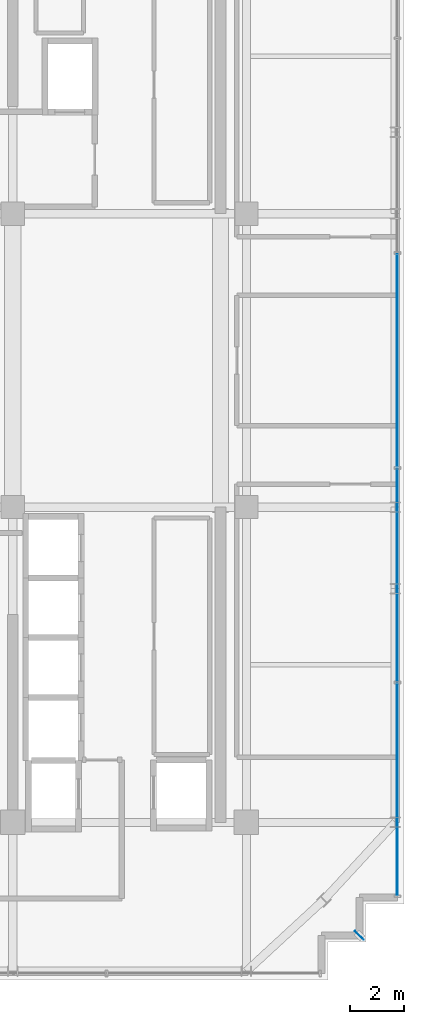
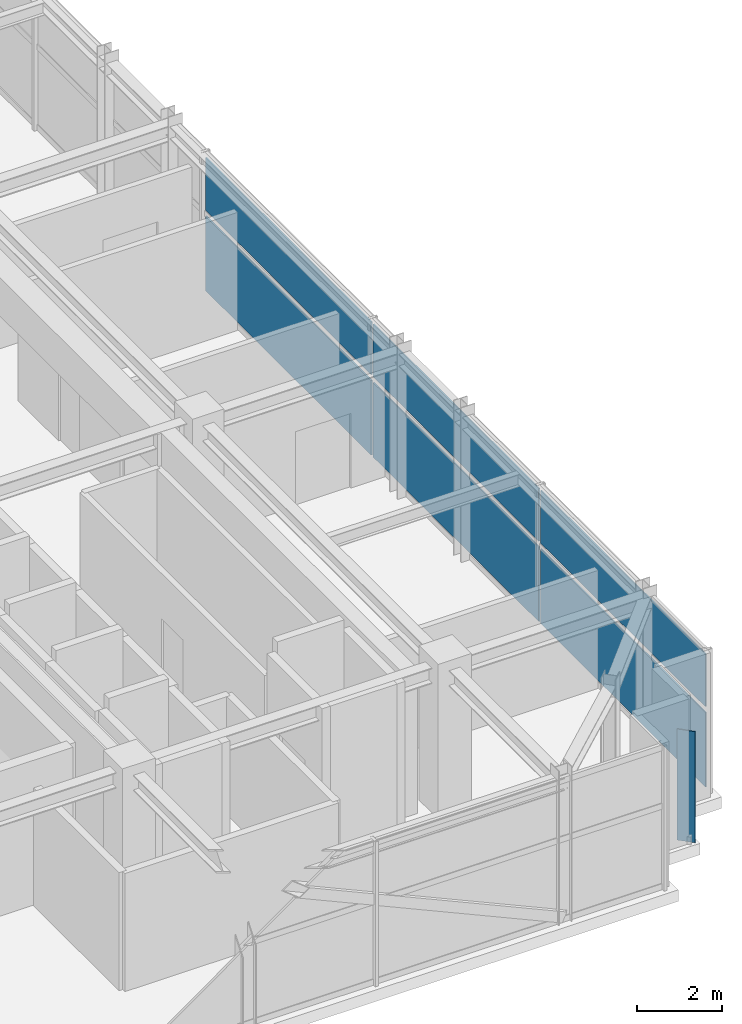
# One storey, part 18 of 26: 7 plates, 1 element without a shape of its own.
"""IFC4 building model written with IfcOpenShell, lengths in metres."""

from ifc_helpers import new_model, si_unit, direction, frame, origin, origin_2d, place, context, subcontext, project, spatial, rectangle, extrude, source, transform, mapped, material, layer, layer_set, type_object, element, aggregate, save


model = new_model("IFC4")

# Units and contexts
model_context = context("Model", 3, precision=1e-05, world=origin(), true_north=direction((0.0, 1.0)))
body_context = subcontext(model_context, "Body", "Model", "MODEL_VIEW")
ifc_project = project(units=[si_unit("LENGTHUNIT", "METRE"), si_unit("AREAUNIT", "SQUARE_METRE"), si_unit("VOLUMEUNIT", "CUBIC_METRE"), si_unit("PLANEANGLEUNIT", "RADIAN"), si_unit("MASSUNIT", "GRAM", prefix="KILO")], contexts=[model_context])

# Site, building, storey
site_placement = place(None, origin())
site = spatial("IfcSite", under=ifc_project, at=site_placement, CompositionType="ELEMENT")
building_placement = place(site_placement, origin())
building = spatial("IfcBuilding", under=site, at=building_placement, Name="Nahalor Promenade Grand Hotel", CompositionType="ELEMENT")
storey_placement = place(building_placement, frame((0.0, 0.0, 343.050048828125)))
storey = spatial("IfcBuildingStorey", under=building, at=storey_placement, Name="L88", CompositionType="ELEMENT", Elevation=343.050048828125)

# Plate
ifc_material_1 = material(Name="Anodised Bronze Aluminium EN AW-6063 T6", Category="aluminium")
ifc_layer_1 = layer(ifc_material_1, 0.02001953125)
ifc_layer_set_1 = layer_set([ifc_layer_1], Name="Anodised Bronze Aluminium EN AW-6063 T6")
plate_type_1 = type_object("IfcPlateType", Name="Plate-CornerFin-20", PredefinedType="SHEET", material=ifc_layer_set_1)
shared_shape_1 = source(origin(), body_context, "Body", "SweptSolid", [
    extrude(rectangle(XDim=0.449951171875, YDim=0.02001953125, at=origin_2d()), origin(), (0.0, 0.0, 1.0), 3.199951171875),
])
plate_1_placement = place(storey_placement, frame((21.159912109375, -21.159912109375, 0.0), z_axis=(0.0, 0.0, 1.0), x_axis=(-0.707106781187, 0.707106781187, 0.0)))
element("IfcPlate", 1, at=plate_1_placement, inside=storey, type_object=plate_type_1, Name="FIN-L88-SE", PredefinedType="SHEET", context=body_context, shape_type="MappedRepresentation", body=[
    mapped(shared_shape_1, transform((0.0, 0.0, 0.0), scale=1.0)),
])

# Curtain wall, plates
curtain_wall_type = type_object("IfcCurtainWallType", Name="CW5 Sky-Lobby & Observation Panoramic Curtain Wall", PredefinedType="USERDEFINED", material=ifc_material_1)
curtain_wall_placement = place(storey_placement, origin())
curtain_wall = element("IfcCurtainWall", 2, at=curtain_wall_placement, inside=storey, type_object=curtain_wall_type, Name="L88 Curtain Wall CW-L88-E-1", ObjectType="UNITISED_CURTAIN_WALL", PredefinedType="USERDEFINED")
ifc_material_2 = material(Name="Low-E Laminated Solar Glass", Category="glass")
ifc_layer_2 = layer(ifc_material_2, 0.035888671875)
ifc_layer_set_2 = layer_set([ifc_layer_2], Name="Low-E Laminated Solar Glass")
plate_type_2 = type_object("IfcPlateType", Name="CWP5 Observation Acoustic Triple IGU 36mm", PredefinedType="CURTAIN_PANEL", material=ifc_layer_set_2)
shared_shape_2 = source(origin(), body_context, "Body", "SweptSolid", [
    extrude(rectangle(XDim=7.776611328125, YDim=0.035888671875, at=origin_2d()), origin(), (0.0, 0.0, 1.0), 2.14501953125),
])
plate_2_placement = place(storey_placement, frame((22.56005859375, -15.786865234375, 0.169921875), z_axis=(0.0, 0.0, 1.0), x_axis=(0.0, 1.0, 0.0)))
plate_2 = element("IfcPlate", 3, at=plate_2_placement, type_object=plate_type_2, Name="CW-L88-E-1 Glazing Panel 0-0", PredefinedType="CURTAIN_PANEL", context=body_context, shape_type="MappedRepresentation", body=[
    mapped(shared_shape_2, transform((0.0, 0.0, 0.0), scale=1.0)),
])
shared_shape_3 = source(origin(), body_context, "Body", "SweptSolid", [
    extrude(rectangle(XDim=7.776611328125, YDim=0.035888671875, at=origin_2d()), origin(), (0.0, 0.0, 1.0), 1.514892578125),
])
plate_3_placement = place(storey_placement, frame((22.56005859375, -15.786865234375, 2.48486328125), z_axis=(0.0, 0.0, 1.0), x_axis=(0.0, 1.0, 0.0)))
plate_3 = element("IfcPlate", 4, at=plate_3_placement, type_object=plate_type_2, Name="CW-L88-E-1 Glazing Panel 0-1", PredefinedType="CURTAIN_PANEL", context=body_context, shape_type="MappedRepresentation", body=[
    mapped(shared_shape_3, transform((0.0, 0.0, 0.0), scale=1.0)),
])
shared_shape_4 = source(origin(), body_context, "Body", "SweptSolid", [
    extrude(rectangle(XDim=7.819091796875, YDim=0.035888671875, at=origin_2d()), origin(), (0.0, 0.0, 1.0), 2.14501953125),
])
plate_4_placement = place(storey_placement, frame((22.56005859375, -7.904052734375, 0.169921875), z_axis=(0.0, 0.0, 1.0), x_axis=(0.0, 1.0, 0.0)))
plate_4 = element("IfcPlate", 5, at=plate_4_placement, type_object=plate_type_2, Name="CW-L88-E-1 Glazing Panel 1-0", PredefinedType="CURTAIN_PANEL", context=body_context, shape_type="MappedRepresentation", body=[
    mapped(shared_shape_4, transform((0.0, 0.0, 0.0), scale=1.0)),
])
plate_5_placement = place(storey_placement, frame((22.56005859375, 0.0, 0.169921875), z_axis=(0.0, 0.0, 1.0), x_axis=(0.0, 1.0, 0.0)))
plate_5 = element("IfcPlate", 6, at=plate_5_placement, type_object=plate_type_2, Name="CW-L88-E-1 Glazing Panel 2-0", PredefinedType="CURTAIN_PANEL", context=body_context, shape_type="MappedRepresentation", body=[
    mapped(shared_shape_4, transform((0.0, 0.0, 0.0), scale=1.0)),
])
shared_shape_5 = source(origin(), body_context, "Body", "SweptSolid", [
    extrude(rectangle(XDim=7.819091796875, YDim=0.035888671875, at=origin_2d()), origin(), (0.0, 0.0, 1.0), 1.514892578125),
])
plate_6_placement = place(storey_placement, frame((22.56005859375, -7.904052734375, 2.48486328125), z_axis=(0.0, 0.0, 1.0), x_axis=(0.0, 1.0, 0.0)))
plate_6 = element("IfcPlate", 7, at=plate_6_placement, type_object=plate_type_2, Name="CW-L88-E-1 Glazing Panel 1-1", PredefinedType="CURTAIN_PANEL", context=body_context, shape_type="MappedRepresentation", body=[
    mapped(shared_shape_5, transform((0.0, 0.0, 0.0), scale=1.0)),
])
plate_7_placement = place(storey_placement, frame((22.56005859375, 0.0, 2.48486328125), z_axis=(0.0, 0.0, 1.0), x_axis=(0.0, 1.0, 0.0)))
plate_7 = element("IfcPlate", 8, at=plate_7_placement, type_object=plate_type_2, Name="CW-L88-E-1 Glazing Panel 2-1", PredefinedType="CURTAIN_PANEL", context=body_context, shape_type="MappedRepresentation", body=[
    mapped(shared_shape_5, transform((0.0, 0.0, 0.0), scale=1.0)),
])
aggregate(curtain_wall, [plate_2, plate_3, plate_4, plate_6, plate_5, plate_7])

save(model, "model.ifc")
